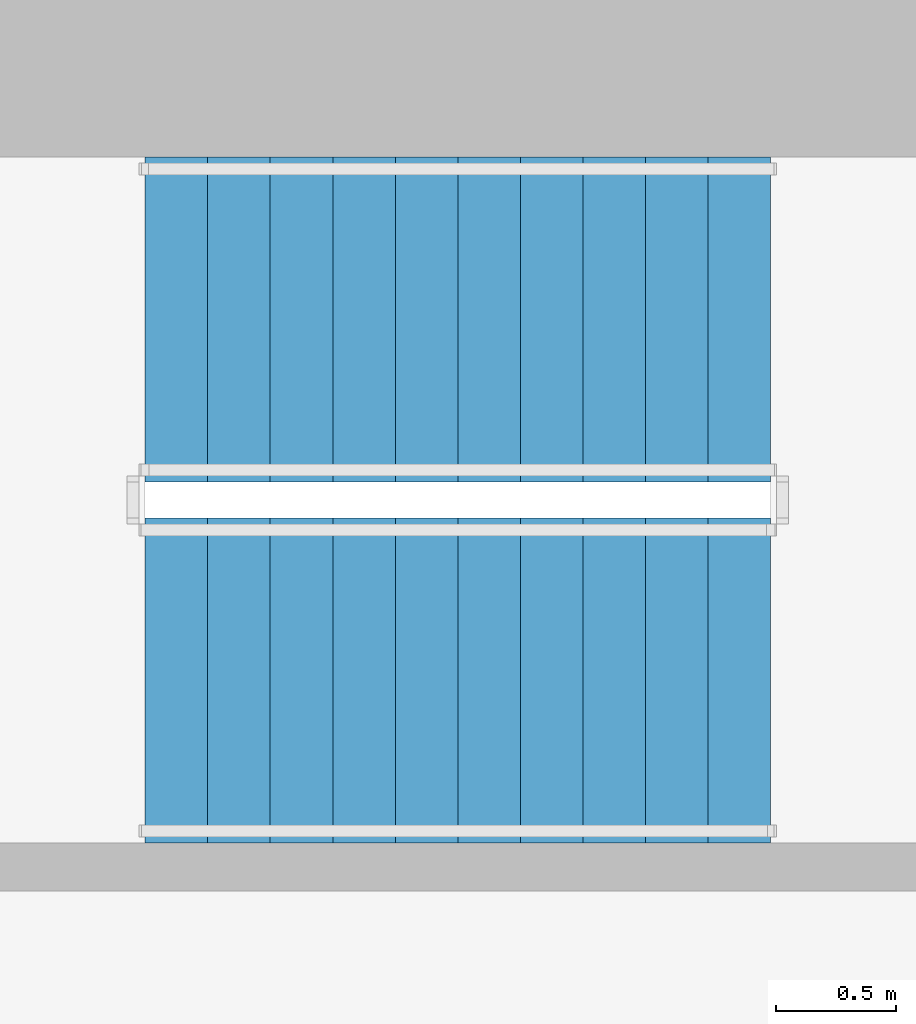
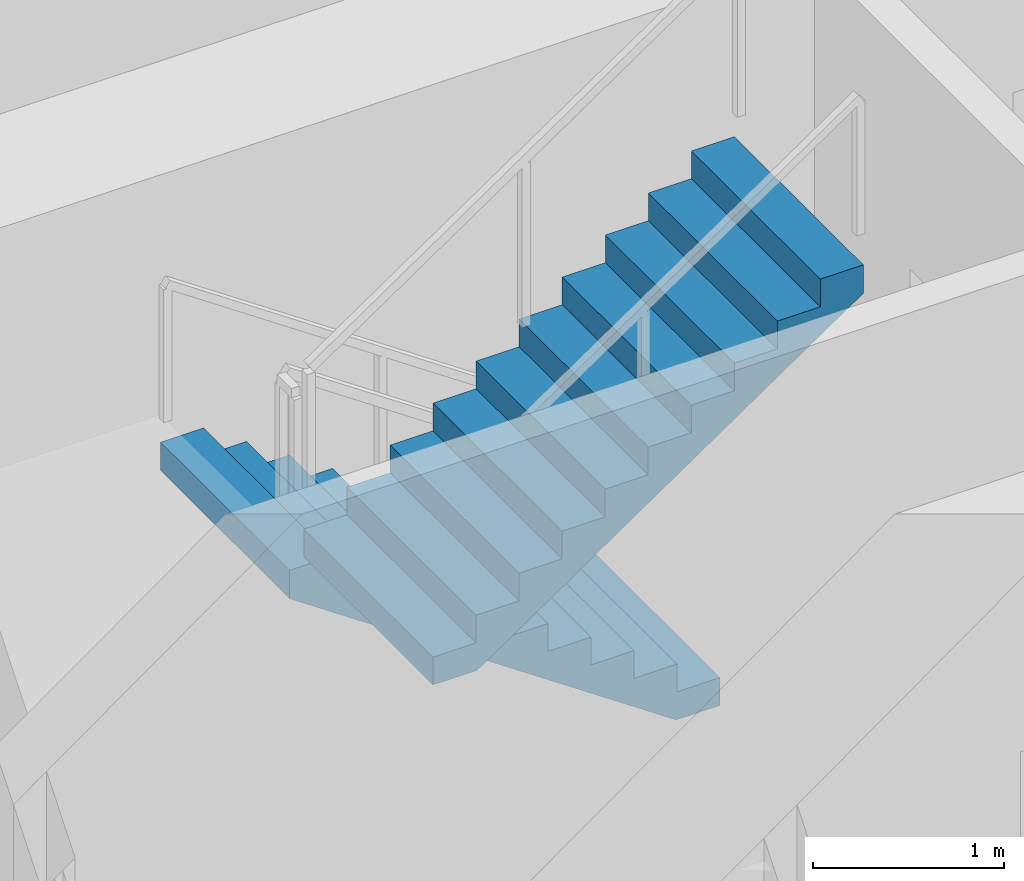
# One storey, part 10 of 16: 2 stair flights, 1 element without a shape of its own.
"""IFC4 building model written with IfcOpenShell, lengths in metres."""

import ifcopenshell
import ifcopenshell.guid

model = None  # the IFC model being written
_history = None  # IfcOwnerHistory: only IFC2X3 demands one
_inside = {}  # id of a spatial element -> (the spatial element, [elements in it])
_under = {}  # id of a project, library or spatial element -> (it, [spatial elements below it])
_declared = {}  # id of a project -> (the project, [libraries it declares])
_typed = {}  # id of a type object -> (the type object, [elements of that type])
_made_of = {}  # id of a material, layer set ... -> (it, [elements and type objects made of it])


def new_model(schema):
    """Start an empty IFC model of exactly this schema.

    Asked for "IFC4X3", IfcOpenShell would pick the latest addendum, in which some entities
    have other attributes; the version numbers below select the first issue.
    IFC2X3 requires an IfcOwnerHistory on every rooted entity: one is made here for all.
    """
    global model, _history
    if schema == "IFC4X3":
        model = ifcopenshell.file(schema_version=(4, 3, 0, 0))
    else:
        model = ifcopenshell.file(schema=schema)
    _inside.clear()
    _under.clear()
    _declared.clear()
    _typed.clear()
    _made_of.clear()
    _history = None
    if model.schema == "IFC2X3":
        org = make("IfcOrganization", Name="unknown")
        user = make(
            "IfcPersonAndOrganization",
            ThePerson=make("IfcPerson", FamilyName="unknown"),
            TheOrganization=org,
        )
        app = make(
            "IfcApplication",
            ApplicationDeveloper=org,
            Version="unknown",
            ApplicationFullName="unknown",
            ApplicationIdentifier="unknown",
        )
        _history = make(
            "IfcOwnerHistory",
            OwningUser=user,
            OwningApplication=app,
            ChangeAction="ADDED",
            CreationDate=0,
        )
    return model


def make(cls, **values):
    """One entity of the class cls with the attributes given. An attribute that is None is left unset."""
    return model.create_entity(
        cls, **{name: value for name, value in values.items() if value is not None}
    )


def rooted(cls, **values):
    """An entity with a GlobalId (a new one), such as an element, a storey or a relation."""
    return make(cls, GlobalId=ifcopenshell.guid.new(), OwnerHistory=_history, **values)


def si_unit(unit_type, name, prefix=None):
    """IfcSIUnit, for example si_unit("LENGTHUNIT", "METRE", prefix="MILLI")."""
    return make("IfcSIUnit", UnitType=unit_type, Prefix=prefix, Name=name)


def assignment(units):
    """IfcUnitAssignment: the units of a project."""
    return None if units is None else make("IfcUnitAssignment", Units=units)


def point(xyz):
    """IfcCartesianPoint."""
    return None if xyz is None else make("IfcCartesianPoint", Coordinates=xyz)


def direction(xyz):
    """IfcDirection."""
    return None if xyz is None else make("IfcDirection", DirectionRatios=xyz)


def frame(location, z_axis=None, x_axis=None):
    """IfcAxis2Placement3D, a coordinate frame: its origin and axes. An axis left out is left unset."""
    return make(
        "IfcAxis2Placement3D",
        Location=point(location),
        Axis=direction(z_axis),
        RefDirection=direction(x_axis),
    )


def origin():
    """The frame at (0, 0, 0) with its axes left unset."""
    return frame((0.0, 0.0, 0.0))


def place(relative_to, where):
    """IfcLocalPlacement: puts the frame where relative to a parent placement (None: the world)."""
    return make(
        "IfcLocalPlacement", PlacementRelTo=relative_to, RelativePlacement=where
    )


def context(
    kind, dimensions, precision=None, world=None, true_north=None, identifier=None
):
    """IfcGeometricRepresentationContext, for example the 3D "Model" context."""
    return make(
        "IfcGeometricRepresentationContext",
        ContextIdentifier=identifier,
        ContextType=kind,
        CoordinateSpaceDimension=dimensions,
        Precision=precision,
        WorldCoordinateSystem=world,
        TrueNorth=true_north,
    )


def subcontext(parent, identifier, kind, view, scale=None):
    """IfcGeometricRepresentationSubContext, for example "Body" below "Model"."""
    return make(
        "IfcGeometricRepresentationSubContext",
        ContextIdentifier=identifier,
        ContextType=kind,
        ParentContext=parent,
        TargetScale=scale,
        TargetView=view,
    )


def project(units=None, contexts=None):
    """IfcProject with its units and contexts."""
    return rooted(
        "IfcProject",
        Name="project",
        RepresentationContexts=contexts,
        UnitsInContext=assignment(units),
    )


def spatial(cls, under=None, at=None, **own):
    """A site, building, storey or space (cls), placed at a placement, below another one or the project."""
    s = rooted(cls, ObjectPlacement=at, **own)
    if under is not None:
        _under.setdefault(under.id(), (under, []))[1].append(s)
    return s


def polyline(points):
    """IfcPolyline through the points."""
    return make("IfcPolyline", Points=[point(p) for p in points])


def outline(outer, holes=None, kind="AREA"):
    """IfcArbitraryClosedProfileDef: a profile drawn as a closed curve; with holes, ...WithVoids."""
    if holes is None:
        return make("IfcArbitraryClosedProfileDef", ProfileType=kind, OuterCurve=outer)
    return make(
        "IfcArbitraryProfileDefWithVoids",
        ProfileType=kind,
        OuterCurve=outer,
        InnerCurves=holes,
    )


def extrude(swept, where, along, depth):
    """IfcExtrudedAreaSolid: the profile swept, set in the frame where, extruded along a direction by depth."""
    return make(
        "IfcExtrudedAreaSolid",
        SweptArea=swept,
        Position=where,
        ExtrudedDirection=direction(along),
        Depth=depth,
    )


def shape(context_of_items, identifier, shape_type, items):
    """IfcShapeRepresentation: the items that make up one representation, for example the "Body"."""
    return make(
        "IfcShapeRepresentation",
        ContextOfItems=context_of_items,
        RepresentationIdentifier=identifier,
        RepresentationType=shape_type,
        Items=items,
    )


def material(Name=None, Category=None):
    """IfcMaterial."""
    return make("IfcMaterial", Name=Name, Category=Category)


def made_of(thing, what):
    """Note that an element or type object is made of a material, layer set ...; save() writes the relation."""
    if what is not None:
        _made_of.setdefault(what.id(), (what, []))[1].append(thing)
    return thing


def type_object(cls, material=None, **own):
    """A type object (cls), such as IfcWallType, which elements share."""
    return made_of(rooted(cls, **own), material)


def element(
    cls,
    number,
    at=None,
    inside=None,
    cuts=None,
    type_object=None,
    material=None,
    context=None,
    identifier="Body",
    shape_type=None,
    held_by="IfcProductDefinitionShape",
    body=None,
    shapes=None,
    **own,
):
    """One element of the class cls, such as IfcWall. Its Tag is "e" and its number.

    at: its placement. inside: the storey or other place that contains it. cuts: it is an
    opening in that element (IfcRelVoidsElement). A single representation is given by context,
    identifier, shape_type and body (its items); several are given by shapes. held_by: the class
    of the entity that holds the representations. save() writes the other relations.
    """
    e = rooted(cls, Tag="e%d" % number, ObjectPlacement=at, **own)
    if body is not None:
        shapes = [shape(context, identifier, shape_type, body)]
    if shapes is not None:
        e.Representation = make(held_by, Representations=shapes)
    if inside is not None:
        _inside.setdefault(inside.id(), (inside, []))[1].append(e)
    if cuts is not None:
        rooted(
            "IfcRelVoidsElement", RelatingBuildingElement=cuts, RelatedOpeningElement=e
        )
    if type_object is not None:
        _typed.setdefault(type_object.id(), (type_object, []))[1].append(e)
    return made_of(e, material)


def aggregate(whole, parts):
    """IfcRelAggregates: a whole, such as a stair, and the parts it consists of."""
    return rooted("IfcRelAggregates", RelatingObject=whole, RelatedObjects=parts)


def save(model, path):
    """Write the relations noted so far, then the file.

    IfcRelAggregates (storeys below a building ...), IfcRelContainedInSpatialStructure (elements
    in a storey), IfcRelDefinesByType, IfcRelAssociatesMaterial and IfcRelDeclares: one each for
    every whole, place, type object, material and project.
    """
    for whole, parts in _under.values():
        aggregate(whole, parts)
    for where, things in _inside.values():
        rooted(
            "IfcRelContainedInSpatialStructure",
            RelatedElements=things,
            RelatingStructure=where,
        )
    for kind, things in _typed.values():
        rooted("IfcRelDefinesByType", RelatedObjects=things, RelatingType=kind)
    for what, things in _made_of.values():
        rooted("IfcRelAssociatesMaterial", RelatedObjects=things, RelatingMaterial=what)
    for by, libraries in _declared.values():
        rooted("IfcRelDeclares", RelatingContext=by, RelatedDefinitions=libraries)
    model.write(path)


model = new_model("IFC4")

# Units and contexts
model_context = context("Model", 3, precision=1e-05, world=origin(), true_north=direction((0.0, 1.0)))
body_context = subcontext(model_context, "Body", "Model", "MODEL_VIEW")
ifc_project = project(units=[si_unit("LENGTHUNIT", "METRE"), si_unit("AREAUNIT", "SQUARE_METRE"), si_unit("VOLUMEUNIT", "CUBIC_METRE"), si_unit("PLANEANGLEUNIT", "RADIAN"), si_unit("MASSUNIT", "GRAM", prefix="KILO")], contexts=[model_context])

# Site, building, storey
site_placement = place(None, origin())
site = spatial("IfcSite", under=ifc_project, at=site_placement, CompositionType="ELEMENT")
building_placement = place(site_placement, origin())
building = spatial("IfcBuilding", under=site, at=building_placement, Name="Khepri Terraces", CompositionType="ELEMENT")
storey_placement = place(building_placement, frame((0.0, 0.0, 149.39990234375)))
storey = spatial("IfcBuildingStorey", under=building, at=storey_placement, Name="L35", CompositionType="ELEMENT", Elevation=149.39990234375)

# Stair, stair flights
ifc_material = material(Name="Concrete C40/50", Category="concrete")
stair_type = type_object("IfcStairType", Name="STAIR-RC-22R", PredefinedType="HALF_TURN_STAIR", material=ifc_material)
stair_placement = place(storey_placement, origin())
stair = element("IfcStair", 1, at=stair_placement, inside=storey, type_object=stair_type, Name="L35 Exit Stair ST-3", PredefinedType="HALF_TURN_STAIR")
stair_flight_type = type_object("IfcStairFlightType", Name="SFL-RC-177.3", PredefinedType="STRAIGHT", material=ifc_material)
stair_flight_1_placement = place(storey_placement, frame((-0.25, 9.425048828125, 0.0), z_axis=(0.0, 0.0, 1.0), x_axis=(-1.0, 0.0, 0.0)))
stair_flight_1 = element("IfcStairFlight", 2, at=stair_flight_1_placement, type_object=stair_flight_type, Name="ST-3 flight 1", NumberOfRisers=11, NumberOfTreads=10, PredefinedType="STRAIGHT", RiserHeight=0.177272727, TreadLength=0.26, context=body_context, shape_type="SweptSolid", body=[
    extrude(outline(polyline([(0.0, 0.0), (0.0, 0.17724609375), (0.260009765625, 0.17724609375), (0.260009765625, 0.3544921875), (0.52001953125, 0.3544921875), (0.52001953125, 0.53173828125), (0.780029296875, 0.53173828125), (0.780029296875, 0.708984375), (1.0400390625, 0.708984375), (1.0400390625, 0.886474609375), (1.300048828125, 0.886474609375), (1.300048828125, 1.063720703125), (1.56005859375, 1.063720703125), (1.56005859375, 1.240966796875), (1.820068359375, 1.240966796875), (1.820068359375, 1.418212890625), (2.080078125, 1.418212890625), (2.080078125, 1.595458984375), (2.340087890625, 1.595458984375), (2.340087890625, 1.772705078125), (2.60009765625, 1.772705078125), (2.60009765625, 1.949951171875), (2.60009765625, 1.59130859375), (0.26611328125, 0.0), (0.0, 0.0)])), frame((0.0, 0.675048828125, 0.0), z_axis=(0.0, -1.0, 0.0), x_axis=(1.0, 0.0, 0.0)), (0.0, 0.0, 1.0), 1.35009765625),
])
stair_flight_2_placement = place(storey_placement, frame((-2.85009765625, 7.925048828125, 1.9501953125), z_axis=(0.0, 0.0, 1.0), x_axis=(1.0, 0.0, 0.0)))
stair_flight_2 = element("IfcStairFlight", 3, at=stair_flight_2_placement, type_object=stair_flight_type, Name="ST-3 flight 2", NumberOfRisers=11, NumberOfTreads=10, PredefinedType="STRAIGHT", RiserHeight=0.177272727, TreadLength=0.26, context=body_context, shape_type="SweptSolid", body=[
    extrude(outline(polyline([(0.0, 0.0), (0.0, 0.17724609375), (0.260009765625, 0.17724609375), (0.260009765625, 0.3544921875), (0.52001953125, 0.3544921875), (0.52001953125, 0.53173828125), (0.780029296875, 0.53173828125), (0.780029296875, 0.708984375), (1.0400390625, 0.708984375), (1.0400390625, 0.886474609375), (1.300048828125, 0.886474609375), (1.300048828125, 1.063720703125), (1.56005859375, 1.063720703125), (1.56005859375, 1.240966796875), (1.820068359375, 1.240966796875), (1.820068359375, 1.418212890625), (2.080078125, 1.418212890625), (2.080078125, 1.595458984375), (2.340087890625, 1.595458984375), (2.340087890625, 1.772705078125), (2.60009765625, 1.772705078125), (2.60009765625, 1.949951171875), (2.60009765625, 1.59130859375), (0.26611328125, 0.0), (0.0, 0.0)])), frame((0.0, 0.675048828125, 0.0), z_axis=(0.0, -1.0, 0.0), x_axis=(1.0, 0.0, 0.0)), (0.0, 0.0, 1.0), 1.35009765625),
])
aggregate(stair, [stair_flight_1, stair_flight_2])

save(model, "model.ifc")
